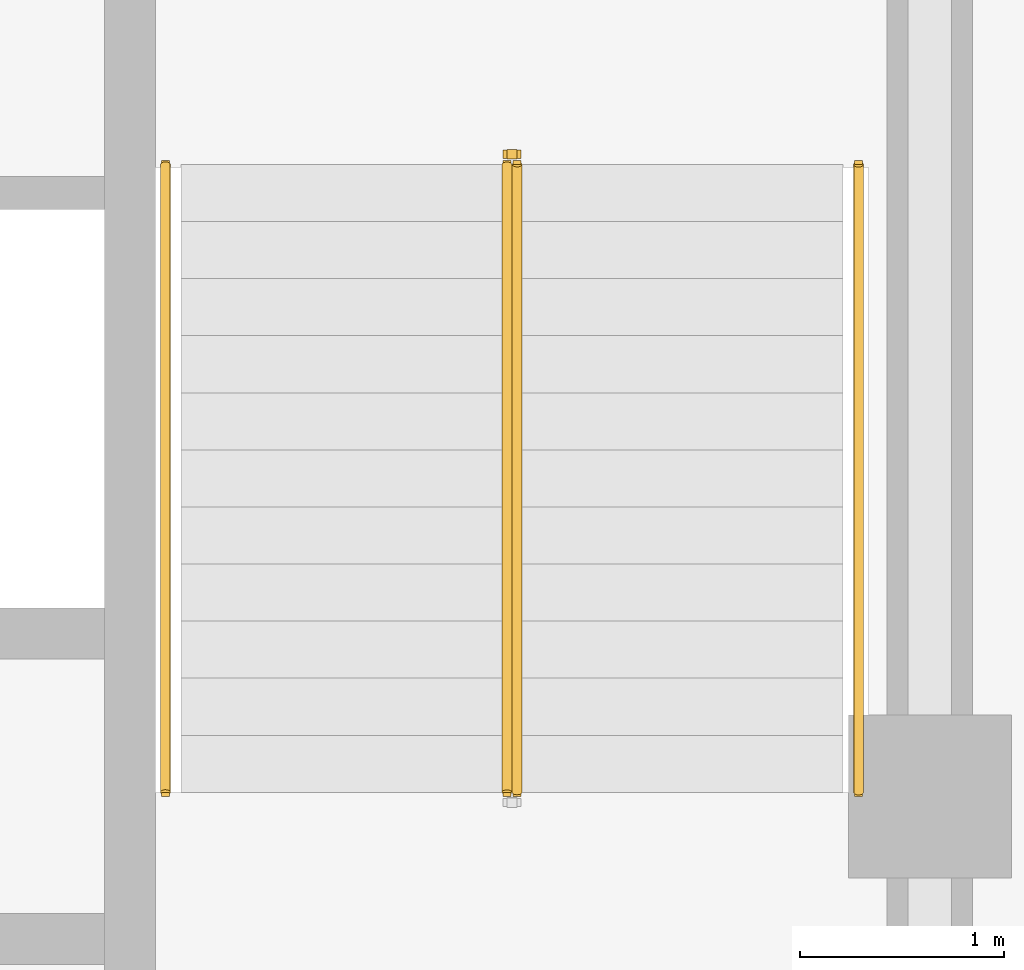
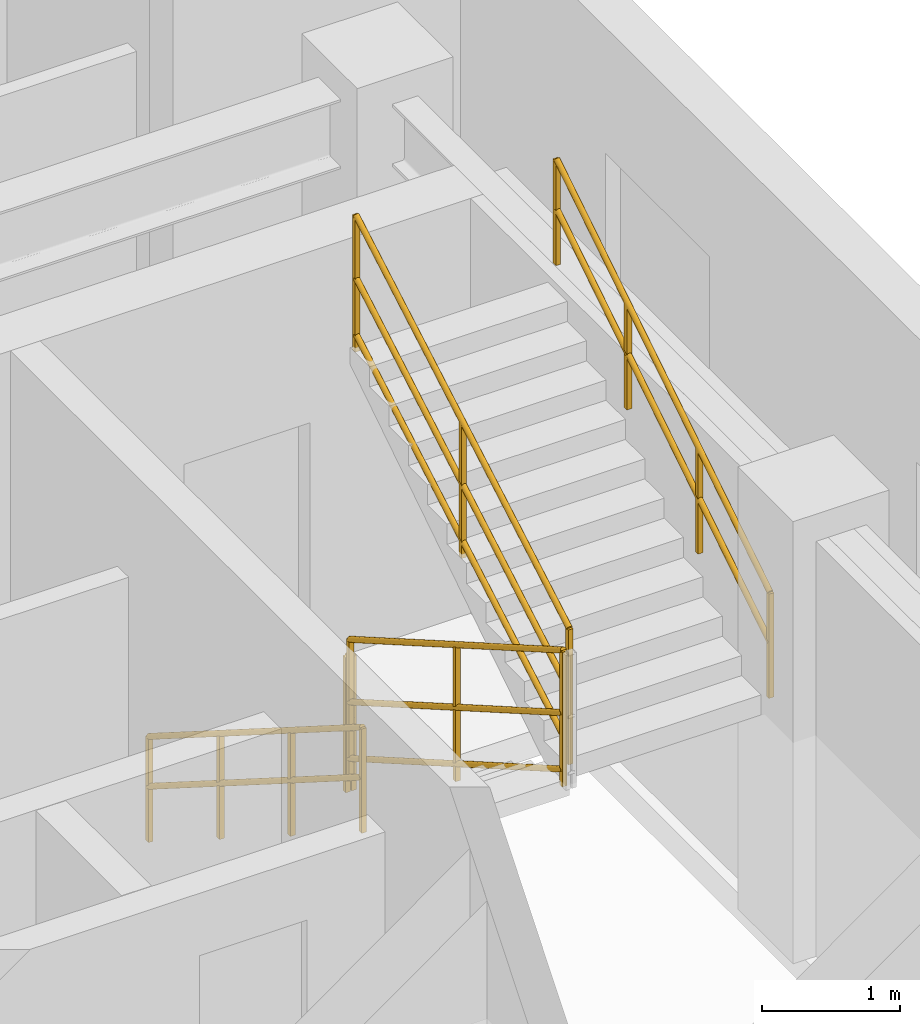
# One storey, part 9 of 10: 5 railings.
"""IFC4 building model written with IfcOpenShell, lengths in metres."""

from ifc_helpers import new_model, entity, si_unit, converted_unit, direction, frame, origin_with_axes, origin_2d_with_axis, place, context, subcontext, project, spatial, rectangle, circle, extrude, material, type_object, element, save


model = new_model("IFC4")

# Units and contexts
model_context = context("Model", 3, precision=1e-05, world=origin_with_axes(), true_north=direction((0.0, 1.0)))
body_context = subcontext(model_context, "Body", "Model", "MODEL_VIEW")
ifc_project = project(units=[si_unit("LENGTHUNIT", "METRE"), si_unit("AREAUNIT", "SQUARE_METRE"), si_unit("VOLUMEUNIT", "CUBIC_METRE"), converted_unit("PLANEANGLEUNIT", "DEGREE", entity("IfcPlaneAngleMeasure", 0.017453292519943295), si_unit("PLANEANGLEUNIT", "RADIAN"), dimensions=[0, 0, 0, 0, 0, 0, 0]), si_unit("MASSUNIT", "GRAM", prefix="KILO"), si_unit("THERMODYNAMICTEMPERATUREUNIT", "KELVIN")], contexts=[model_context])

# Site, building, storey
site_placement = place(None, origin_with_axes())
site = spatial("IfcSite", under=ifc_project, at=site_placement, CompositionType="ELEMENT")
building_placement = place(site_placement, origin_with_axes())
building = spatial("IfcBuilding", under=site, at=building_placement, Name="Varnlund Millrace Tower", CompositionType="ELEMENT")
storey_placement = place(building_placement, frame((0.0, 0.0, 264.6), z_axis=(0.0, 0.0, 1.0), x_axis=(1.0, 0.0, 0.0)))
storey = spatial("IfcBuildingStorey", under=building, at=storey_placement, Name="L65", CompositionType="ELEMENT", Elevation=264.6)

# Railings
ifc_material_1 = material(Name="Painted steel stair well balustrade guard", Category="steel")
railing_type_1 = type_object("IfcRailingType", Name="Type-StairGuard-1150", PredefinedType="GUARDRAIL", material=ifc_material_1)
railing_1_placement = place(storey_placement, frame((0.0, 0.0, -264.6), z_axis=(0.0, 0.0, 1.0), x_axis=(1.0, 0.0, 0.0)))
element("IfcRailing", 1, at=railing_1_placement, inside=storey, type_object=railing_type_1, Name="Type-StairGuard-1150", PredefinedType="GUARDRAIL", context=body_context, shape_type="SweptSolid", body=[
    extrude(circle(Radius=0.024, at=origin_2d_with_axis()), frame((45.975, 21.1, 265.927273), z_axis=(0.0, -0.866696, 0.498836), x_axis=(1.0, 0.0, 0.0)), (0.0, 0.0, 1.0), 3.553725),
    extrude(circle(Radius=0.024, at=origin_2d_with_axis()), frame((45.975, 21.1, 264.877273), z_axis=(0.0, -0.866696, 0.498836), x_axis=(1.0, 0.0, 0.0)), (0.0, 0.0, 1.0), 3.553725),
    extrude(circle(Radius=0.024, at=origin_2d_with_axis()), frame((45.975, 21.1, 265.375273), z_axis=(0.0, -0.866696, 0.498836), x_axis=(1.0, 0.0, 0.0)), (0.0, 0.0, 1.0), 3.553725),
    extrude(rectangle(XDim=0.04, YDim=0.04, at=origin_2d_with_axis()), frame((45.975, 21.1, 264.737273), z_axis=(0.0, 0.0, 1.0), x_axis=(1.0, 0.0, 0.0)), (0.0, 0.0, 1.0), 1.19),
    extrude(rectangle(XDim=0.04, YDim=0.04, at=origin_2d_with_axis()), frame((45.975, 19.56, 265.623636), z_axis=(0.0, 0.0, 1.0), x_axis=(1.0, 0.0, 0.0)), (0.0, 0.0, 1.0), 1.19),
    extrude(rectangle(XDim=0.04, YDim=0.04, at=origin_2d_with_axis()), frame((45.975, 18.02, 266.51), z_axis=(0.0, 0.0, 1.0), x_axis=(1.0, 0.0, 0.0)), (0.0, 0.0, 1.0), 1.19),
])
railing_2_placement = place(storey_placement, frame((0.0, 0.0, -264.6), z_axis=(0.0, 0.0, 1.0), x_axis=(1.0, 0.0, 0.0)))
element("IfcRailing", 2, at=railing_2_placement, inside=storey, type_object=railing_type_1, Name="Type-StairGuard-1150", PredefinedType="GUARDRAIL", context=body_context, shape_type="SweptSolid", body=[
    extrude(circle(Radius=0.024, at=origin_2d_with_axis()), frame((46.025, 18.02, 267.877273), z_axis=(0.0, 0.866696, 0.498836), x_axis=(-1.0, 0.0, 0.0)), (0.0, 0.0, 1.0), 3.553725),
    extrude(circle(Radius=0.024, at=origin_2d_with_axis()), frame((46.025, 18.02, 266.827273), z_axis=(0.0, 0.866696, 0.498836), x_axis=(-1.0, 0.0, 0.0)), (0.0, 0.0, 1.0), 3.553725),
    extrude(circle(Radius=0.024, at=origin_2d_with_axis()), frame((46.025, 18.02, 267.325273), z_axis=(0.0, 0.866696, 0.498836), x_axis=(-1.0, 0.0, 0.0)), (0.0, 0.0, 1.0), 3.553725),
    extrude(rectangle(XDim=0.04, YDim=0.04, at=origin_2d_with_axis()), frame((46.025, 18.02, 266.687273), z_axis=(0.0, 0.0, 1.0), x_axis=(1.0, 0.0, 0.0)), (0.0, 0.0, 1.0), 1.19),
    extrude(rectangle(XDim=0.04, YDim=0.04, at=origin_2d_with_axis()), frame((46.025, 19.56, 267.573636), z_axis=(0.0, 0.0, 1.0), x_axis=(1.0, 0.0, 0.0)), (0.0, 0.0, 1.0), 1.19),
    extrude(rectangle(XDim=0.04, YDim=0.04, at=origin_2d_with_axis()), frame((46.025, 21.1, 268.46), z_axis=(0.0, 0.0, 1.0), x_axis=(1.0, 0.0, 0.0)), (0.0, 0.0, 1.0), 1.19),
])
railing_3_placement = place(storey_placement, frame((0.0, 0.0, -264.6), z_axis=(0.0, 0.0, 1.0), x_axis=(1.0, 0.0, 0.0)))
element("IfcRailing", 3, at=railing_3_placement, inside=storey, type_object=railing_type_1, Name="Type-StairGuard-1150", PredefinedType="GUARDRAIL", context=body_context, shape_type="SweptSolid", body=[
    extrude(circle(Radius=0.024, at=origin_2d_with_axis()), frame((46.025, 21.15, 265.75), z_axis=(-1.0, 0.0, 0.0), x_axis=(0.0, -1.0, 0.0)), (0.0, 0.0, 1.0), 0.05),
    extrude(circle(Radius=0.024, at=origin_2d_with_axis()), frame((46.025, 21.15, 264.7), z_axis=(-1.0, 0.0, 0.0), x_axis=(0.0, -1.0, 0.0)), (0.0, 0.0, 1.0), 0.05),
    extrude(circle(Radius=0.024, at=origin_2d_with_axis()), frame((46.025, 21.15, 265.198), z_axis=(-1.0, 0.0, 0.0), x_axis=(0.0, -1.0, 0.0)), (0.0, 0.0, 1.0), 0.05),
    extrude(rectangle(XDim=0.04, YDim=0.04, at=origin_2d_with_axis()), frame((46.025, 21.15, 264.56), z_axis=(0.0, 0.0, 1.0), x_axis=(1.0, 0.0, 0.0)), (0.0, 0.0, 1.0), 1.19),
    extrude(rectangle(XDim=0.04, YDim=0.04, at=origin_2d_with_axis()), frame((45.975, 21.15, 264.56), z_axis=(0.0, 0.0, 1.0), x_axis=(1.0, 0.0, 0.0)), (0.0, 0.0, 1.0), 1.19),
])
ifc_material_2 = material(Name="Brushed architectural bronze stair handrail", Category="aluminium")
railing_type_2 = type_object("IfcRailingType", Name="Type-StairHandrail-900", PredefinedType="HANDRAIL", material=ifc_material_2)
railing_4_placement = place(storey_placement, frame((0.0, 0.0, -264.6), z_axis=(0.0, 0.0, 1.0), x_axis=(1.0, 0.0, 0.0)))
element("IfcRailing", 4, at=railing_4_placement, inside=storey, type_object=railing_type_2, Name="Type-StairHandrail-900", PredefinedType="HANDRAIL", context=body_context, shape_type="SweptSolid", body=[
    extrude(circle(Radius=0.024, at=origin_2d_with_axis()), frame((44.3, 21.1, 265.656995), z_axis=(0.0, -0.844902, 0.534922), x_axis=(1.0, 0.0, 0.0)), (0.0, 0.0, 1.0), 3.645394),
    extrude(circle(Radius=0.024, at=origin_2d_with_axis()), frame((44.3, 21.1, 265.217134), z_axis=(0.0, -0.844902, 0.534922), x_axis=(1.0, 0.0, 0.0)), (0.0, 0.0, 1.0), 3.645394),
    extrude(rectangle(XDim=0.04, YDim=0.04, at=origin_2d_with_axis()), frame((44.3, 21.1, 264.737273), z_axis=(0.0, 0.0, 1.0), x_axis=(1.0, 0.0, 0.0)), (0.0, 0.0, 1.0), 0.919722),
    extrude(rectangle(XDim=0.04, YDim=0.04, at=origin_2d_with_axis()), frame((44.3, 20.073333, 265.387273), z_axis=(0.0, 0.0, 1.0), x_axis=(1.0, 0.0, 0.0)), (0.0, 0.0, 1.0), 0.919722),
    extrude(rectangle(XDim=0.04, YDim=0.04, at=origin_2d_with_axis()), frame((44.3, 19.046667, 266.037273), z_axis=(0.0, 0.0, 1.0), x_axis=(1.0, 0.0, 0.0)), (0.0, 0.0, 1.0), 0.919722),
    extrude(rectangle(XDim=0.04, YDim=0.04, at=origin_2d_with_axis()), frame((44.3, 18.02, 266.687273), z_axis=(0.0, 0.0, 1.0), x_axis=(1.0, 0.0, 0.0)), (0.0, 0.0, 1.0), 0.919722),
])
railing_5_placement = place(storey_placement, frame((0.0, 0.0, -264.6), z_axis=(0.0, 0.0, 1.0), x_axis=(1.0, 0.0, 0.0)))
element("IfcRailing", 5, at=railing_5_placement, inside=storey, type_object=railing_type_2, Name="Type-StairHandrail-900", PredefinedType="HANDRAIL", context=body_context, shape_type="SweptSolid", body=[
    extrude(circle(Radius=0.024, at=origin_2d_with_axis()), frame((47.7, 18.02, 267.606995), z_axis=(0.0, 0.844902, 0.534922), x_axis=(-1.0, 0.0, 0.0)), (0.0, 0.0, 1.0), 3.645394),
    extrude(circle(Radius=0.024, at=origin_2d_with_axis()), frame((47.7, 18.02, 267.167134), z_axis=(0.0, 0.844902, 0.534922), x_axis=(-1.0, 0.0, 0.0)), (0.0, 0.0, 1.0), 3.645394),
    extrude(rectangle(XDim=0.04, YDim=0.04, at=origin_2d_with_axis()), frame((47.7, 18.02, 266.687273), z_axis=(0.0, 0.0, 1.0), x_axis=(1.0, 0.0, 0.0)), (0.0, 0.0, 1.0), 0.919722),
    extrude(rectangle(XDim=0.04, YDim=0.04, at=origin_2d_with_axis()), frame((47.7, 19.046667, 267.337273), z_axis=(0.0, 0.0, 1.0), x_axis=(1.0, 0.0, 0.0)), (0.0, 0.0, 1.0), 0.919722),
    extrude(rectangle(XDim=0.04, YDim=0.04, at=origin_2d_with_axis()), frame((47.7, 20.073333, 267.987273), z_axis=(0.0, 0.0, 1.0), x_axis=(1.0, 0.0, 0.0)), (0.0, 0.0, 1.0), 0.919722),
    extrude(rectangle(XDim=0.04, YDim=0.04, at=origin_2d_with_axis()), frame((47.7, 21.1, 268.637273), z_axis=(0.0, 0.0, 1.0), x_axis=(1.0, 0.0, 0.0)), (0.0, 0.0, 1.0), 0.919722),
])

save(model, "model.ifc")
